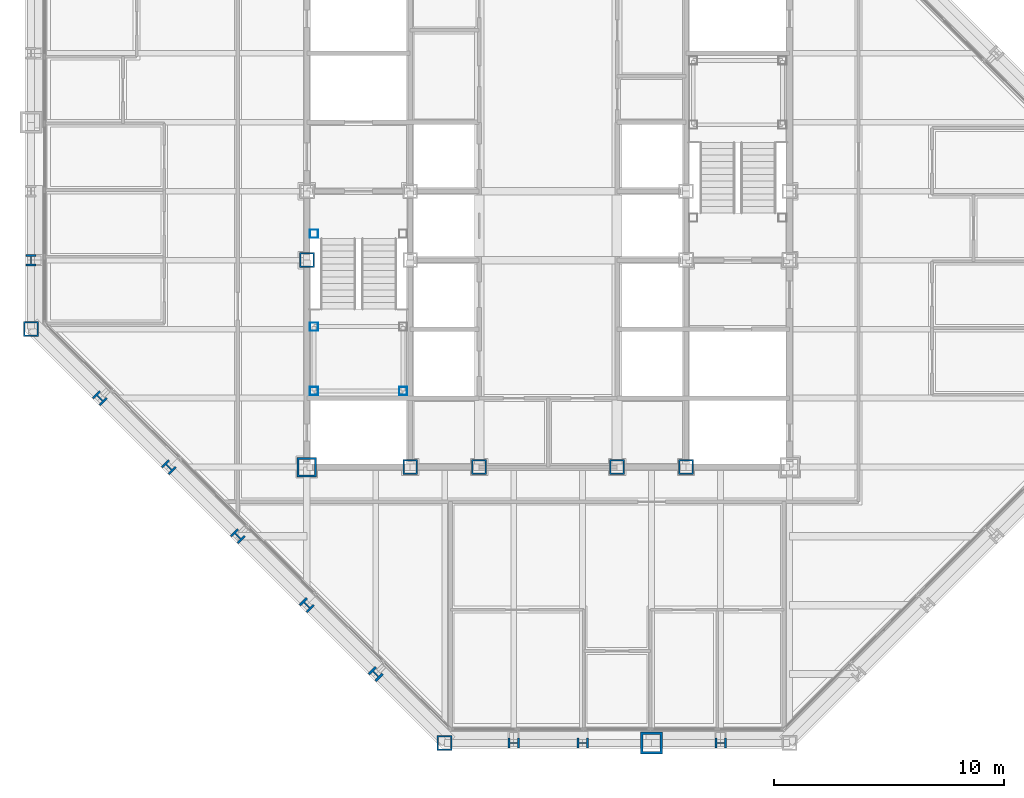
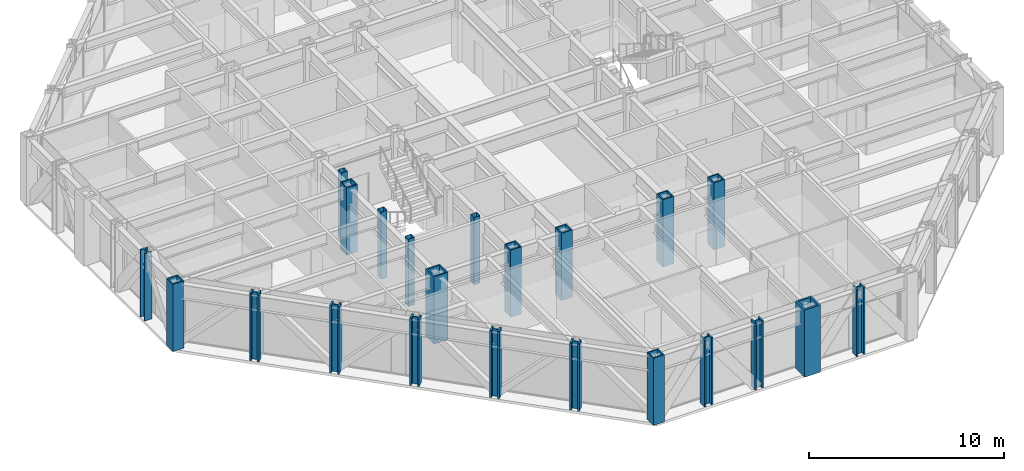
# One storey, part 1 of 16: 22 columns.
"""IFC4 building model written with IfcOpenShell, lengths in metres."""

import ifcopenshell
import ifcopenshell.guid

model = None  # the IFC model being written
_history = None  # IfcOwnerHistory: only IFC2X3 demands one
_inside = {}  # id of a spatial element -> (the spatial element, [elements in it])
_under = {}  # id of a project, library or spatial element -> (it, [spatial elements below it])
_declared = {}  # id of a project -> (the project, [libraries it declares])
_typed = {}  # id of a type object -> (the type object, [elements of that type])
_made_of = {}  # id of a material, layer set ... -> (it, [elements and type objects made of it])


def new_model(schema):
    """Start an empty IFC model of exactly this schema.

    Asked for "IFC4X3", IfcOpenShell would pick the latest addendum, in which some entities
    have other attributes; the version numbers below select the first issue.
    IFC2X3 requires an IfcOwnerHistory on every rooted entity: one is made here for all.
    """
    global model, _history
    if schema == "IFC4X3":
        model = ifcopenshell.file(schema_version=(4, 3, 0, 0))
    else:
        model = ifcopenshell.file(schema=schema)
    _inside.clear()
    _under.clear()
    _declared.clear()
    _typed.clear()
    _made_of.clear()
    _history = None
    if model.schema == "IFC2X3":
        org = make("IfcOrganization", Name="unknown")
        user = make(
            "IfcPersonAndOrganization",
            ThePerson=make("IfcPerson", FamilyName="unknown"),
            TheOrganization=org,
        )
        app = make(
            "IfcApplication",
            ApplicationDeveloper=org,
            Version="unknown",
            ApplicationFullName="unknown",
            ApplicationIdentifier="unknown",
        )
        _history = make(
            "IfcOwnerHistory",
            OwningUser=user,
            OwningApplication=app,
            ChangeAction="ADDED",
            CreationDate=0,
        )
    return model


def make(cls, **values):
    """One entity of the class cls with the attributes given. An attribute that is None is left unset."""
    return model.create_entity(
        cls, **{name: value for name, value in values.items() if value is not None}
    )


def rooted(cls, **values):
    """An entity with a GlobalId (a new one), such as an element, a storey or a relation."""
    return make(cls, GlobalId=ifcopenshell.guid.new(), OwnerHistory=_history, **values)


def si_unit(unit_type, name, prefix=None):
    """IfcSIUnit, for example si_unit("LENGTHUNIT", "METRE", prefix="MILLI")."""
    return make("IfcSIUnit", UnitType=unit_type, Prefix=prefix, Name=name)


def assignment(units):
    """IfcUnitAssignment: the units of a project."""
    return None if units is None else make("IfcUnitAssignment", Units=units)


def point(xyz):
    """IfcCartesianPoint."""
    return None if xyz is None else make("IfcCartesianPoint", Coordinates=xyz)


def direction(xyz):
    """IfcDirection."""
    return None if xyz is None else make("IfcDirection", DirectionRatios=xyz)


def frame(location, z_axis=None, x_axis=None):
    """IfcAxis2Placement3D, a coordinate frame: its origin and axes. An axis left out is left unset."""
    return make(
        "IfcAxis2Placement3D",
        Location=point(location),
        Axis=direction(z_axis),
        RefDirection=direction(x_axis),
    )


def frame_2d(location, x_axis=None):
    """IfcAxis2Placement2D, a coordinate frame in the plane: its origin and x axis."""
    return make(
        "IfcAxis2Placement2D", Location=point(location), RefDirection=direction(x_axis)
    )


def origin():
    """The frame at (0, 0, 0) with its axes left unset."""
    return frame((0.0, 0.0, 0.0))


def origin_2d():
    """The frame at (0, 0) in the plane with its x axis left unset."""
    return frame_2d((0.0, 0.0))


def place(relative_to, where):
    """IfcLocalPlacement: puts the frame where relative to a parent placement (None: the world)."""
    return make(
        "IfcLocalPlacement", PlacementRelTo=relative_to, RelativePlacement=where
    )


def context(
    kind, dimensions, precision=None, world=None, true_north=None, identifier=None
):
    """IfcGeometricRepresentationContext, for example the 3D "Model" context."""
    return make(
        "IfcGeometricRepresentationContext",
        ContextIdentifier=identifier,
        ContextType=kind,
        CoordinateSpaceDimension=dimensions,
        Precision=precision,
        WorldCoordinateSystem=world,
        TrueNorth=true_north,
    )


def subcontext(parent, identifier, kind, view, scale=None):
    """IfcGeometricRepresentationSubContext, for example "Body" below "Model"."""
    return make(
        "IfcGeometricRepresentationSubContext",
        ContextIdentifier=identifier,
        ContextType=kind,
        ParentContext=parent,
        TargetScale=scale,
        TargetView=view,
    )


def project(units=None, contexts=None):
    """IfcProject with its units and contexts."""
    return rooted(
        "IfcProject",
        Name="project",
        RepresentationContexts=contexts,
        UnitsInContext=assignment(units),
    )


def spatial(cls, under=None, at=None, **own):
    """A site, building, storey or space (cls), placed at a placement, below another one or the project."""
    s = rooted(cls, ObjectPlacement=at, **own)
    if under is not None:
        _under.setdefault(under.id(), (under, []))[1].append(s)
    return s


def profile(cls, at=None, kind="AREA", **sizes):
    """A parametric profile (cls). Its sizes go by their IFC names, for example OverallWidth=200.0."""
    return make(cls, ProfileType=kind, Position=at, **sizes)


def hollow_rectangle(**sizes):
    """IfcRectangleHollowProfileDef."""
    return profile("IfcRectangleHollowProfileDef", **sizes)


def i_section(**sizes):
    """IfcIShapeProfileDef."""
    return profile("IfcIShapeProfileDef", **sizes)


def extrude(swept, where, along, depth):
    """IfcExtrudedAreaSolid: the profile swept, set in the frame where, extruded along a direction by depth."""
    return make(
        "IfcExtrudedAreaSolid",
        SweptArea=swept,
        Position=where,
        ExtrudedDirection=direction(along),
        Depth=depth,
    )


def shape(context_of_items, identifier, shape_type, items):
    """IfcShapeRepresentation: the items that make up one representation, for example the "Body"."""
    return make(
        "IfcShapeRepresentation",
        ContextOfItems=context_of_items,
        RepresentationIdentifier=identifier,
        RepresentationType=shape_type,
        Items=items,
    )


def material(Name=None, Category=None):
    """IfcMaterial."""
    return make("IfcMaterial", Name=Name, Category=Category)


def material_profile(
    of_material, cross_section, Name=None, Category=None, Priority=None
):
    """IfcMaterialProfile: a cross section and its material."""
    return make(
        "IfcMaterialProfile",
        Name=Name,
        Material=of_material,
        Profile=cross_section,
        Priority=Priority,
        Category=Category,
    )


def profile_set(profiles, Name=None, composite=None):
    """IfcMaterialProfileSet."""
    return make(
        "IfcMaterialProfileSet",
        Name=Name,
        MaterialProfiles=profiles,
        CompositeProfile=composite,
    )


def made_of(thing, what):
    """Note that an element or type object is made of a material, layer set ...; save() writes the relation."""
    if what is not None:
        _made_of.setdefault(what.id(), (what, []))[1].append(thing)
    return thing


def type_object(cls, material=None, **own):
    """A type object (cls), such as IfcWallType, which elements share."""
    return made_of(rooted(cls, **own), material)


def element(
    cls,
    number,
    at=None,
    inside=None,
    cuts=None,
    type_object=None,
    material=None,
    context=None,
    identifier="Body",
    shape_type=None,
    held_by="IfcProductDefinitionShape",
    body=None,
    shapes=None,
    **own,
):
    """One element of the class cls, such as IfcWall. Its Tag is "e" and its number.

    at: its placement. inside: the storey or other place that contains it. cuts: it is an
    opening in that element (IfcRelVoidsElement). A single representation is given by context,
    identifier, shape_type and body (its items); several are given by shapes. held_by: the class
    of the entity that holds the representations. save() writes the other relations.
    """
    e = rooted(cls, Tag="e%d" % number, ObjectPlacement=at, **own)
    if body is not None:
        shapes = [shape(context, identifier, shape_type, body)]
    if shapes is not None:
        e.Representation = make(held_by, Representations=shapes)
    if inside is not None:
        _inside.setdefault(inside.id(), (inside, []))[1].append(e)
    if cuts is not None:
        rooted(
            "IfcRelVoidsElement", RelatingBuildingElement=cuts, RelatedOpeningElement=e
        )
    if type_object is not None:
        _typed.setdefault(type_object.id(), (type_object, []))[1].append(e)
    return made_of(e, material)


def aggregate(whole, parts):
    """IfcRelAggregates: a whole, such as a stair, and the parts it consists of."""
    return rooted("IfcRelAggregates", RelatingObject=whole, RelatedObjects=parts)


def save(model, path):
    """Write the relations noted so far, then the file.

    IfcRelAggregates (storeys below a building ...), IfcRelContainedInSpatialStructure (elements
    in a storey), IfcRelDefinesByType, IfcRelAssociatesMaterial and IfcRelDeclares: one each for
    every whole, place, type object, material and project.
    """
    for whole, parts in _under.values():
        aggregate(whole, parts)
    for where, things in _inside.values():
        rooted(
            "IfcRelContainedInSpatialStructure",
            RelatedElements=things,
            RelatingStructure=where,
        )
    for kind, things in _typed.values():
        rooted("IfcRelDefinesByType", RelatedObjects=things, RelatingType=kind)
    for what, things in _made_of.values():
        rooted("IfcRelAssociatesMaterial", RelatedObjects=things, RelatingMaterial=what)
    for by, libraries in _declared.values():
        rooted("IfcRelDeclares", RelatingContext=by, RelatedDefinitions=libraries)
    model.write(path)


model = new_model("IFC4")

# Units and contexts
model_context = context("Model", 3, precision=1e-05, world=origin(), true_north=direction((0.0, 1.0)))
body_context = subcontext(model_context, "Body", "Model", "MODEL_VIEW")
ifc_project = project(units=[si_unit("LENGTHUNIT", "METRE"), si_unit("AREAUNIT", "SQUARE_METRE"), si_unit("VOLUMEUNIT", "CUBIC_METRE"), si_unit("PLANEANGLEUNIT", "RADIAN"), si_unit("MASSUNIT", "GRAM", prefix="KILO")], contexts=[model_context])

# Site, building, storey
site_placement = place(None, origin())
site = spatial("IfcSite", under=ifc_project, at=site_placement, CompositionType="ELEMENT")
building_placement = place(site_placement, origin())
building = spatial("IfcBuilding", under=site, at=building_placement, Name="Chuquiago Exchange Tower", CompositionType="ELEMENT")
storey_placement = place(building_placement, frame((0.0, 0.0, 201.300048828125)))
storey = spatial("IfcBuildingStorey", under=building, at=storey_placement, Name="L44", CompositionType="ELEMENT", Elevation=201.300048828125)

# Columns
ifc_material_1 = material(Name="Steel ASTM A992", Category="steel")
ifc_material_profile_1 = material_profile(ifc_material_1, i_section(OverallWidth=0.431884765625, OverallDepth=0.497802734375, WebThickness=0.0556640625, FlangeThickness=0.0888671875, at=origin_2d()), Name="W14X500")
ifc_profile_set_1 = profile_set([ifc_material_profile_1], Name="Steel ASTM A992")
column_type_1 = type_object("IfcColumnType", Name="C4 W14X500", PredefinedType="COLUMN", material=ifc_profile_set_1)
for number, where, z_axis, x_axis, name in (
    (1, (21.0, 0.0, 0.0), (0.0, 0.0, 1.0), (0.0, -1.0, 0.0), "COL-L44-21_0"),
    (2, (24.0, 0.0, 0.0), (0.0, 0.0, 1.0), (0.0, -1.0, 0.0), "COL-L44-24_0"),
    (3, (30.0, 0.0, 0.0), (0.0, 0.0, 1.0), (0.0, -1.0, 0.0), "COL-L44-30_0"),
    (4, (0.0, 21.0, 0.0), (0.0, 0.0, 1.0), (-1.0, 0.0, 0.0), "COL-L44-0_21"),
):
    element("IfcColumn", number, at=place(storey_placement, frame(where, z_axis=z_axis, x_axis=x_axis)), inside=storey, type_object=column_type_1, Name=name, PredefinedType="COLUMN", context=body_context, shape_type="SweptSolid", body=[
        extrude(i_section(OverallWidth=0.431884765625, OverallDepth=0.497802734375, WebThickness=0.0556640625, FlangeThickness=0.0888671875, at=origin_2d()), origin(), (0.0, 0.0, 1.0), 4.199951171875),
    ])
ifc_material_2 = material(Name="Steel ASTM A572 Grade 50", Category="steel")
ifc_material_profile_2 = material_profile(ifc_material_2, hollow_rectangle(XDim=0.64990234375, YDim=0.64990234375, WallThickness=0.06494140625, at=origin_2d()), Name="BOX650X650X65")
ifc_profile_set_2 = profile_set([ifc_material_profile_2], Name="Steel ASTM A572 Grade 50")
column_type_2 = type_object("IfcColumnType", Name="CC4 BOX650X650X65", PredefinedType="COLUMN", material=ifc_profile_set_2)
for number, where, z_axis, x_axis, name in (
    (5, (16.5, 12.0, 0.0), (0.0, 0.0, 1.0), (1.0, 0.0, 0.0), "CCOL-L44-16.5_12"),
    (6, (19.5, 12.0, 0.0), (0.0, 0.0, 1.0), (1.0, 0.0, 0.0), "CCOL-L44-19.5_12"),
    (7, (25.5, 12.0, 0.0), (0.0, 0.0, 1.0), (1.0, 0.0, 0.0), "CCOL-L44-25.5_12"),
    (8, (28.5, 12.0, 0.0), (0.0, 0.0, 1.0), (1.0, 0.0, 0.0), "CCOL-L44-28.5_12"),
    (9, (12.0, 21.0, 0.0), (0.0, 0.0, 1.0), (1.0, 0.0, 0.0), "CCOL-L44-12_21"),
):
    element("IfcColumn", number, at=place(storey_placement, frame(where, z_axis=z_axis, x_axis=x_axis)), inside=storey, type_object=column_type_2, Name=name, PredefinedType="COLUMN", context=body_context, shape_type="SweptSolid", body=[
        extrude(hollow_rectangle(XDim=0.64990234375, YDim=0.64990234375, WallThickness=0.06494140625, at=origin_2d()), origin(), (0.0, 0.0, 1.0), 4.199951171875),
    ])
ifc_material_3 = material(Name="Steel ASTM A572 Grade 50", Category="steel")
ifc_material_profile_3 = material_profile(ifc_material_3, hollow_rectangle(XDim=0.85009765625, YDim=0.85009765625, WallThickness=0.0849609375, at=origin_2d()), Name="BOX850X850X85")
ifc_profile_set_3 = profile_set([ifc_material_profile_3], Name="Steel ASTM A572 Grade 50")
column_type_3 = type_object("IfcColumnType", Name="CC6 BOX850X850X85", PredefinedType="COLUMN", material=ifc_profile_set_3)
column_1_placement = place(storey_placement, frame((12.0, 12.0, 0.0), z_axis=(0.0, 0.0, 1.0), x_axis=(1.0, 0.0, 0.0)))
element("IfcColumn", 10, at=column_1_placement, inside=storey, type_object=column_type_3, Name="CCOL-L44-12_12", PredefinedType="COLUMN", context=body_context, shape_type="SweptSolid", body=[
    extrude(hollow_rectangle(XDim=0.85009765625, YDim=0.85009765625, WallThickness=0.0849609375, at=origin_2d()), origin(), (0.0, 0.0, 1.0), 4.199951171875),
])
ifc_material_4 = material(Name="Steel ASTM A992", Category="steel")
ifc_material_profile_4 = material_profile(ifc_material_4, i_section(OverallWidth=0.436767578125, OverallDepth=0.51318359375, WebThickness=0.060546875, FlangeThickness=0.096923828125, at=origin_2d()), Name="W14X550")
ifc_profile_set_4 = profile_set([ifc_material_profile_4], Name="Steel ASTM A992")
column_type_4 = type_object("IfcColumnType", Name="CK4 W14X550", PredefinedType="COLUMN", material=ifc_profile_set_4)
for number, where, z_axis, x_axis, name in (
    (11, (3.0, 15.0, 0.0), (0.0, 0.0, 1.0), (-0.707106781187, -0.707106781187, 0.0), "COL-L44-3_15"),
    (12, (6.0, 12.0, 0.0), (0.0, 0.0, 1.0), (-0.707106781187, -0.707106781187, 0.0), "COL-L44-6_12"),
    (13, (9.0, 9.0, 0.0), (0.0, 0.0, 1.0), (-0.707106781187, -0.707106781187, 0.0), "COL-L44-9_9"),
    (14, (12.0, 6.0, 0.0), (0.0, 0.0, 1.0), (-0.707106781187, -0.707106781187, 0.0), "COL-L44-12_6"),
    (15, (15.0, 3.0, 0.0), (0.0, 0.0, 1.0), (-0.707106781187, -0.707106781187, 0.0), "COL-L44-15_3"),
):
    element("IfcColumn", number, at=place(storey_placement, frame(where, z_axis=z_axis, x_axis=x_axis)), inside=storey, type_object=column_type_4, Name=name, PredefinedType="COLUMN", context=body_context, shape_type="SweptSolid", body=[
        extrude(i_section(OverallWidth=0.436767578125, OverallDepth=0.51318359375, WebThickness=0.060546875, FlangeThickness=0.096923828125, at=origin_2d()), origin(), (0.0, 0.0, 1.0), 4.199951171875),
    ])
ifc_material_5 = material(Name="Steel ASTM A572 Grade 50", Category="steel")
ifc_material_profile_5 = material_profile(ifc_material_5, hollow_rectangle(XDim=0.64990234375, YDim=0.64990234375, WallThickness=0.06494140625, at=origin_2d()), Name="BOX650X650X65")
ifc_profile_set_5 = profile_set([ifc_material_profile_5], Name="Steel ASTM A572 Grade 50")
column_type_5 = type_object("IfcColumnType", Name="CN2 BOX650X650X65", PredefinedType="COLUMN", material=ifc_profile_set_5)
for number, where, z_axis, x_axis, name in (
    (16, (18.0, 0.0, 0.0), (0.0, 0.0, 1.0), (0.0, -1.0, 0.0), "COL-L44-18_0"),
    (17, (0.0, 18.0, 0.0), (0.0, 0.0, 1.0), (-1.0, 0.0, 0.0), "COL-L44-0_18"),
):
    element("IfcColumn", number, at=place(storey_placement, frame(where, z_axis=z_axis, x_axis=x_axis)), inside=storey, type_object=column_type_5, Name=name, PredefinedType="COLUMN", context=body_context, shape_type="SweptSolid", body=[
        extrude(hollow_rectangle(XDim=0.64990234375, YDim=0.64990234375, WallThickness=0.06494140625, at=origin_2d()), origin(), (0.0, 0.0, 1.0), 4.199951171875),
    ])
ifc_material_6 = material(Name="Steel ASTM A572 Grade 42", Category="steel")
ifc_material_profile_6 = material_profile(ifc_material_6, hollow_rectangle(XDim=0.949951171875, YDim=0.949951171875, WallThickness=0.110107421875, at=origin_2d()), Name="BOX950X950X110")
ifc_profile_set_6 = profile_set([ifc_material_profile_6], Name="Steel ASTM A572 Grade 42")
column_type_6 = type_object("IfcColumnType", Name="CT1 BOX950X950X110", PredefinedType="COLUMN", material=ifc_profile_set_6)
column_2_placement = place(storey_placement, frame((27.0, 0.0, 0.0), z_axis=(0.0, 0.0, 1.0), x_axis=(0.0, -1.0, 0.0)))
element("IfcColumn", 18, at=column_2_placement, inside=storey, type_object=column_type_6, Name="COL-L44-27_0", PredefinedType="COLUMN", context=body_context, shape_type="SweptSolid", body=[
    extrude(hollow_rectangle(XDim=0.949951171875, YDim=0.949951171875, WallThickness=0.110107421875, at=origin_2d()), origin(), (0.0, 0.0, 1.0), 4.199951171875),
])
ifc_material_7 = material(Name="Steel ASTM A500 Grade C", Category="steel")
ifc_material_profile_7 = material_profile(ifc_material_7, hollow_rectangle(XDim=0.355712890625, YDim=0.355712890625, WallThickness=0.0087890625, at=origin_2d()), Name="HSS14X14X3/8")
ifc_profile_set_7 = profile_set([ifc_material_profile_7], Name="Steel ASTM A500 Grade C")
column_type_7 = type_object("IfcColumnType", Name="PT1 HSS14X14X3/8", PredefinedType="COLUMN", material=ifc_profile_set_7)
for number, where, z_axis, x_axis, name in (
    (19, (12.31005859375, 15.31005859375, 0.0), (0.0, 0.0, 1.0), (1.0, 0.0, 0.0), "Stair ST1 L44 landing post"),
    (20, (16.18994140625, 15.31005859375, 0.0), (0.0, 0.0, 1.0), (1.0, 0.0, 0.0), "Stair ST1 L44 landing post"),
    (21, (12.31005859375, 18.110107421875, 0.0), (0.0, 0.0, 1.0), (1.0, 0.0, 0.0), "Stair ST1 L44 landing post"),
    (22, (12.31005859375, 22.14990234375, 0.0), (0.0, 0.0, 1.0), (1.0, 0.0, 0.0), "Stair ST1 L44 landing post"),
):
    element("IfcColumn", number, at=place(storey_placement, frame(where, z_axis=z_axis, x_axis=x_axis)), inside=storey, type_object=column_type_7, Name=name, PredefinedType="COLUMN", context=body_context, shape_type="SweptSolid", body=[
        extrude(hollow_rectangle(XDim=0.355712890625, YDim=0.355712890625, WallThickness=0.0087890625, at=origin_2d()), origin(), (0.0, 0.0, 1.0), 4.199951171875),
    ])

save(model, "model.ifc")
